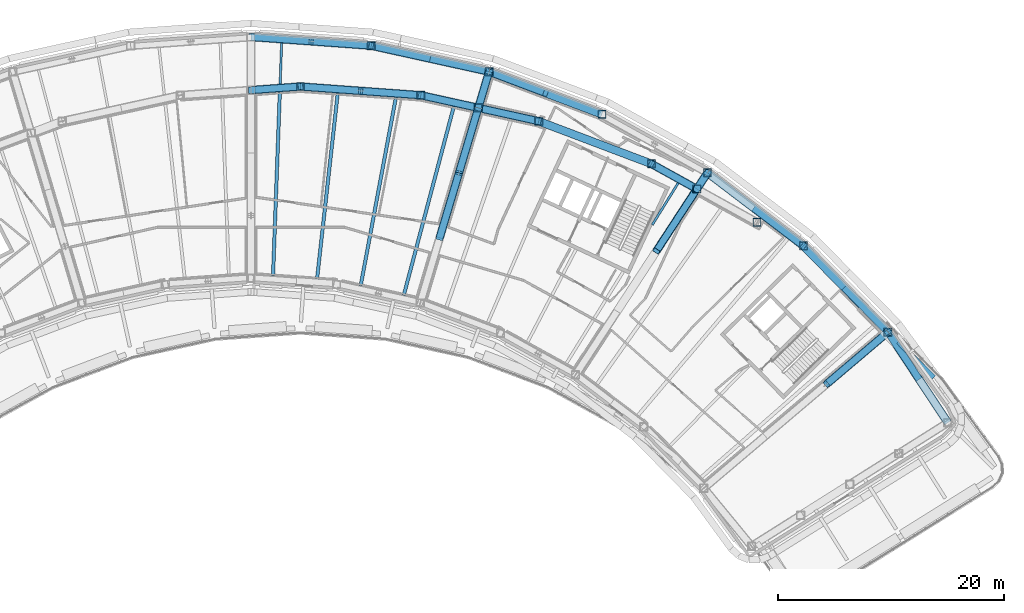
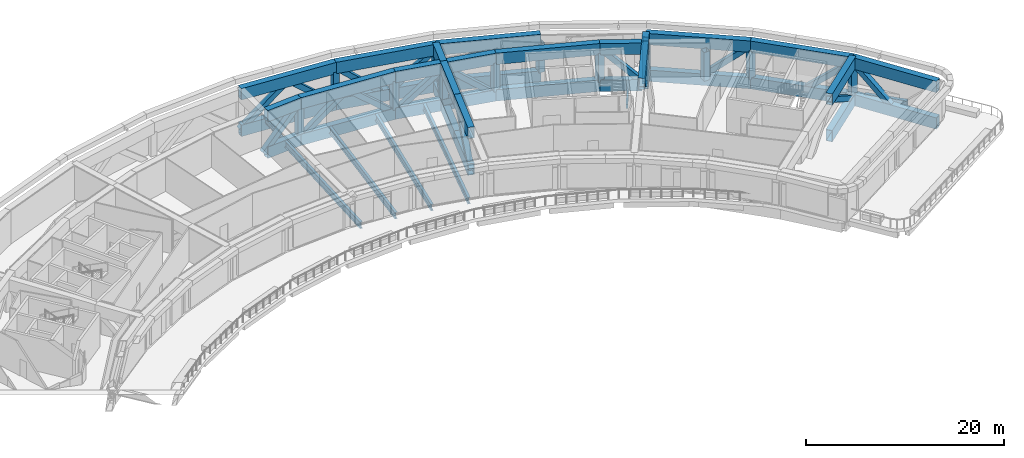
# One storey, part 5 of 26: 42 beams, 33 members.
"""IFC4 building model written with IfcOpenShell, lengths in metres."""

from ifc_helpers import new_model, si_unit, direction, frame, origin, origin_2d, place, context, subcontext, project, spatial, hollow_rectangle, i_section, extrude, material, material_profile, profile_set, type_object, element, save


model = new_model("IFC4")

# Units and contexts
model_context = context("Model", 3, precision=1e-05, world=origin(), true_north=direction((0.0, 1.0)))
body_context = subcontext(model_context, "Body", "Model", "MODEL_VIEW")
ifc_project = project(units=[si_unit("LENGTHUNIT", "METRE"), si_unit("AREAUNIT", "SQUARE_METRE"), si_unit("VOLUMEUNIT", "CUBIC_METRE"), si_unit("PLANEANGLEUNIT", "RADIAN"), si_unit("MASSUNIT", "GRAM", prefix="KILO")], contexts=[model_context])

# Site, building, storey
site_placement = place(None, origin())
site = spatial("IfcSite", under=ifc_project, at=site_placement, CompositionType="ELEMENT")
building_placement = place(site_placement, origin())
building = spatial("IfcBuilding", under=site, at=building_placement, Name="Tuul Gate Civic Tower", CompositionType="ELEMENT")
storey_placement = place(building_placement, frame((0.0, 0.0, 167.60009765625)))
storey = spatial("IfcBuildingStorey", under=building, at=storey_placement, Name="Plant and refuge floor 5", CompositionType="ELEMENT", Elevation=167.60009765625)

# Beams
ifc_material_1 = material(Name="Steel S355", Category="steel")
ifc_material_profile_1 = material_profile(ifc_material_1, i_section(OverallWidth=0.199951171875, OverallDepth=0.5, WebThickness=0.010009765625, FlangeThickness=0.01611328125, at=origin_2d()), Name="PG500x200x10x16")
ifc_profile_set_1 = profile_set([ifc_material_profile_1], Name="Steel S355")
beam_type_1 = type_object("IfcBeamType", Name="STR-FLOOR BEAM-PG500x200x10x16", PredefinedType="BEAM", material=ifc_profile_set_1)
beam_1_placement = place(storey_placement, frame((36.50341796875, -3.014404296875, -0.650146484375), z_axis=(0.526981057191, 0.849877029553, 0.0), x_axis=(-0.849877029553, 0.526981057191, 0.0)))
element("IfcBeam", 1, at=beam_1_placement, inside=storey, type_object=beam_type_1, Name="Floor beam", PredefinedType="BEAM", context=body_context, shape_type="SweptSolid", body=[
    extrude(i_section(OverallWidth=0.199951171875, OverallDepth=0.5, WebThickness=0.010009765625, FlangeThickness=0.01611328125, at=origin_2d()), origin(), (0.0, 0.0, 1.0), 4.345947265625),
])
beam_2_placement = place(storey_placement, frame((3.57177734375, 9.4521484375, -0.650146484375), z_axis=(0.036974227822, 0.999316219461, 0.0), x_axis=(-0.999316219461, 0.036974227822, 0.0)))
element("IfcBeam", 2, at=beam_2_placement, inside=storey, type_object=beam_type_1, Name="Floor beam", PredefinedType="BEAM", context=body_context, shape_type="SweptSolid", body=[
    extrude(i_section(OverallWidth=0.199951171875, OverallDepth=0.5, WebThickness=0.010009765625, FlangeThickness=0.01611328125, at=origin_2d()), origin(), (0.0, 0.0, 1.0), 3.618408203125),
])
ifc_material_2 = material(Name="Steel S355", Category="steel")
ifc_material_profile_2 = material_profile(ifc_material_2, i_section(OverallWidth=0.300048828125, OverallDepth=0.800048828125, WebThickness=0.013916015625, FlangeThickness=0.02490234375, at=origin_2d()), Name="PG800x300x14x25")
ifc_profile_set_2 = profile_set([ifc_material_profile_2], Name="Steel S355")
beam_type_2 = type_object("IfcBeamType", Name="STR-FLOOR BEAM-PG800x300x14x25", PredefinedType="BEAM", material=ifc_profile_set_2)
beam_3_placement = place(storey_placement, frame((14.51513671875, -9.24267578125, -0.800048828125), z_axis=(0.256156654098, 0.96663528208, 0.0), x_axis=(-0.96663528208, 0.256156654098, 0.0)))
element("IfcBeam", 3, at=beam_3_placement, inside=storey, type_object=beam_type_2, Name="Floor beam", PredefinedType="BEAM", context=body_context, shape_type="SweptSolid", body=[
    extrude(i_section(OverallWidth=0.300048828125, OverallDepth=0.800048828125, WebThickness=0.013916015625, FlangeThickness=0.02490234375, at=origin_2d()), origin(), (0.0, 0.0, 1.0), 17.277587890625),
])
beam_4_placement = place(storey_placement, frame((10.700439453125, -8.40185546875, -0.800048828125), z_axis=(0.183967815999, 0.982932267594, 0.0), x_axis=(-0.982932267594, 0.183967815999, 0.0)))
element("IfcBeam", 4, at=beam_4_placement, inside=storey, type_object=beam_type_2, Name="Floor beam", PredefinedType="BEAM", context=body_context, shape_type="SweptSolid", body=[
    extrude(i_section(OverallWidth=0.300048828125, OverallDepth=0.800048828125, WebThickness=0.013916015625, FlangeThickness=0.02490234375, at=origin_2d()), origin(), (0.0, 0.0, 1.0), 16.960205078125),
])
beam_5_placement = place(storey_placement, frame((6.8388671875, -7.813232421875, -0.800048828125), z_axis=(0.110797277575, 0.993843027486, 0.0), x_axis=(-0.993843027486, 0.110797277575, 0.0)))
element("IfcBeam", 5, at=beam_5_placement, inside=storey, type_object=beam_type_2, Name="Floor beam", PredefinedType="BEAM", context=body_context, shape_type="SweptSolid", body=[
    extrude(i_section(OverallWidth=0.300048828125, OverallDepth=0.800048828125, WebThickness=0.013916015625, FlangeThickness=0.02490234375, at=origin_2d()), origin(), (0.0, 0.0, 1.0), 16.55712890625),
])
beam_6_placement = place(storey_placement, frame((2.94287109375, -7.53076171875, -0.800048828125), z_axis=(0.037002237345, 0.999315182728, 0.0), x_axis=(-0.999315182728, 0.037002237345, 0.0)))
element("IfcBeam", 6, at=beam_6_placement, inside=storey, type_object=beam_type_2, Name="Floor beam", PredefinedType="BEAM", context=body_context, shape_type="SweptSolid", body=[
    extrude(i_section(OverallWidth=0.300048828125, OverallDepth=0.800048828125, WebThickness=0.013916015625, FlangeThickness=0.02490234375, at=origin_2d()), origin(), (0.0, 0.0, 1.0), 16.29052734375),
])
ifc_material_3 = material(Name="Steel S355", Category="steel")
ifc_material_profile_3 = material_profile(ifc_material_3, hollow_rectangle(XDim=0.449951171875, YDim=0.89990234375, WallThickness=0.02490234375, at=origin_2d()), Name="BOX900x450x25")
ifc_profile_set_3 = profile_set([ifc_material_profile_3], Name="Steel S355")
beam_type_3 = type_object("IfcBeamType", Name="STR-SPANDREL BEAM-BOX900x450x25", PredefinedType="BEAM", material=ifc_profile_set_3)
beam_7_placement = place(storey_placement, frame((61.39599609375, -16.52685546875, -0.85009765625), z_axis=(-0.700034581972, 0.7141089441, 0.0), x_axis=(-0.7141089441, -0.700034581972, 0.0)))
element("IfcBeam", 7, at=beam_7_placement, inside=storey, type_object=beam_type_3, Name="Terrace edge beam", PredefinedType="BEAM", context=body_context, shape_type="SweptSolid", body=[
    extrude(hollow_rectangle(XDim=0.449951171875, YDim=0.89990234375, WallThickness=0.02490234375, at=origin_2d()), origin(), (0.0, 0.0, 1.0), 4.440673828125),
])
ifc_material_4 = material(Name="Steel S460", Category="steel")
ifc_material_profile_4 = material_profile(ifc_material_4, hollow_rectangle(XDim=0.699951171875, YDim=1.39990234375, WallThickness=0.0400390625, at=origin_2d()), Name="BOX1400x700x40")
ifc_profile_set_4 = profile_set([ifc_material_profile_4], Name="Steel S460")
beam_type_4 = type_object("IfcBeamType", Name="STR-TRANSFER TRUSS CHORD-BOX1400x700x40", PredefinedType="BEAM", material=ifc_profile_set_4)
for number, where, z_axis, x_axis, name in (
    (8, (57.362060546875, -12.5, -1.10009765625), (-0.762827934926, -0.646601532396, 0.0), (0.646601532396, -0.762827934926, 0.0), "Radial truss bottom chord"),
    (9, (57.362060546875, -12.5, 3.39990234375), (-0.762827934926, -0.646601532396, 0.0), (0.646601532396, -0.762827934926, 0.0), "Radial truss top chord"),
):
    element("IfcBeam", number, at=place(storey_placement, frame(where, z_axis=z_axis, x_axis=x_axis)), inside=storey, type_object=beam_type_4, Name=name, PredefinedType="BEAM", context=body_context, shape_type="SweptSolid", body=[
        extrude(hollow_rectangle(XDim=0.699951171875, YDim=1.39990234375, WallThickness=0.0400390625, at=origin_2d()), origin(), (0.0, 0.0, 1.0), 7.118896484375),
    ])
beam_8_placement = place(storey_placement, frame((22.06689453125, 10.5458984375, -1.10009765625), z_axis=(-0.285178597464, -0.958474395875, 0.0), x_axis=(0.958474395875, -0.285178597464, 0.0)))
element("IfcBeam", 10, at=beam_8_placement, inside=storey, type_object=beam_type_4, Name="Radial truss bottom chord", PredefinedType="BEAM", context=body_context, shape_type="SweptSolid", body=[
    extrude(hollow_rectangle(XDim=0.699951171875, YDim=1.39990234375, WallThickness=0.0400390625, at=origin_2d()), origin(), (0.0, 0.0, 1.0), 3.346435546875),
])
beam_9_placement = place(storey_placement, frame((21.112548828125, 7.33837890625, -1.10009765625), z_axis=(-0.285216678898, -0.958463064535, 0.0), x_axis=(0.958463064535, -0.285216678898, 0.0)))
element("IfcBeam", 11, at=beam_9_placement, inside=storey, type_object=beam_type_4, Name="Radial truss bottom chord", PredefinedType="BEAM", context=body_context, shape_type="SweptSolid", body=[
    extrude(hollow_rectangle(XDim=0.699951171875, YDim=1.39990234375, WallThickness=0.0400390625, at=origin_2d()), origin(), (0.0, 0.0, 1.0), 6.0029296875),
])
beam_10_placement = place(storey_placement, frame((19.400390625, 1.584716796875, -1.10009765625), z_axis=(-0.285205561447, -0.958466372764, 0.0), x_axis=(0.958466372764, -0.285205561447, 0.0)))
element("IfcBeam", 12, at=beam_10_placement, inside=storey, type_object=beam_type_4, Name="Radial truss bottom chord", PredefinedType="BEAM", context=body_context, shape_type="SweptSolid", body=[
    extrude(hollow_rectangle(XDim=0.699951171875, YDim=1.39990234375, WallThickness=0.0400390625, at=origin_2d()), origin(), (0.0, 0.0, 1.0), 6.003173828125),
])
beam_11_placement = place(storey_placement, frame((22.06689453125, 10.5458984375, 3.39990234375), z_axis=(-0.285178597464, -0.958474395875, 0.0), x_axis=(0.958474395875, -0.285178597464, 0.0)))
element("IfcBeam", 13, at=beam_11_placement, inside=storey, type_object=beam_type_4, Name="Radial truss top chord", PredefinedType="BEAM", context=body_context, shape_type="SweptSolid", body=[
    extrude(hollow_rectangle(XDim=0.699951171875, YDim=1.39990234375, WallThickness=0.0400390625, at=origin_2d()), origin(), (0.0, 0.0, 1.0), 3.346435546875),
])
beam_12_placement = place(storey_placement, frame((21.112548828125, 7.33837890625, 3.39990234375), z_axis=(-0.285216678898, -0.958463064535, 0.0), x_axis=(0.958463064535, -0.285216678898, 0.0)))
element("IfcBeam", 14, at=beam_12_placement, inside=storey, type_object=beam_type_4, Name="Radial truss top chord", PredefinedType="BEAM", context=body_context, shape_type="SweptSolid", body=[
    extrude(hollow_rectangle(XDim=0.699951171875, YDim=1.39990234375, WallThickness=0.0400390625, at=origin_2d()), origin(), (0.0, 0.0, 1.0), 6.0029296875),
])
beam_13_placement = place(storey_placement, frame((19.400390625, 1.584716796875, 3.39990234375), z_axis=(-0.285205561447, -0.958466372764, 0.0), x_axis=(0.958466372764, -0.285205561447, 0.0)))
element("IfcBeam", 15, at=beam_13_placement, inside=storey, type_object=beam_type_4, Name="Radial truss top chord", PredefinedType="BEAM", context=body_context, shape_type="SweptSolid", body=[
    extrude(hollow_rectangle(XDim=0.699951171875, YDim=1.39990234375, WallThickness=0.0400390625, at=origin_2d()), origin(), (0.0, 0.0, 1.0), 6.003173828125),
])
for number, where, z_axis, x_axis, name in (
    (16, (41.39208984375, 1.593017578125, -1.10009765625), (-0.54678482453, -0.837273166692, 0.0), (0.837273166692, -0.54678482453, 0.0), "Radial truss bottom chord"),
    (17, (41.39208984375, 1.593017578125, 3.39990234375), (-0.54678482453, -0.837273166692, 0.0), (0.837273166692, -0.54678482453, 0.0), "Radial truss top chord"),
):
    element("IfcBeam", number, at=place(storey_placement, frame(where, z_axis=z_axis, x_axis=x_axis)), inside=storey, type_object=beam_type_4, Name=name, PredefinedType="BEAM", context=body_context, shape_type="SweptSolid", body=[
        extrude(hollow_rectangle(XDim=0.699951171875, YDim=1.39990234375, WallThickness=0.0400390625, at=origin_2d()), origin(), (0.0, 0.0, 1.0), 1.713623046875),
    ])
beam_14_placement = place(storey_placement, frame((40.455078125, 0.158203125, 3.39990234375), z_axis=(-0.54674088621, -0.837301859156, 0.0), x_axis=(0.837301859156, -0.54674088621, 0.0)))
element("IfcBeam", 18, at=beam_14_placement, inside=storey, type_object=beam_type_4, Name="Radial truss top chord", PredefinedType="BEAM", context=body_context, shape_type="SweptSolid", body=[
    extrude(hollow_rectangle(XDim=0.699951171875, YDim=1.39990234375, WallThickness=0.0400390625, at=origin_2d()), origin(), (0.0, 0.0, 1.0), 6.547119140625),
])
for number, where, z_axis, x_axis, name in (
    (19, (22.06689453125, 10.5458984375, -1.10009765625), (-0.976566967592, 0.215213749115, 0.0), (-0.215213749115, -0.976566967592, 0.0), "Belt truss bottom chord"),
    (20, (22.06689453125, 10.5458984375, 3.39990234375), (-0.976566967592, 0.215213749115, 0.0), (-0.215213749115, -0.976566967592, 0.0), "Belt truss top chord"),
):
    element("IfcBeam", number, at=place(storey_placement, frame(where, z_axis=z_axis, x_axis=x_axis)), inside=storey, type_object=beam_type_4, Name=name, PredefinedType="BEAM", context=body_context, shape_type="SweptSolid", body=[
        extrude(hollow_rectangle(XDim=0.699951171875, YDim=1.39990234375, WallThickness=0.0400390625, at=origin_2d()), origin(), (0.0, 0.0, 1.0), 10.67822265625),
    ])
beam_15_placement = place(storey_placement, frame((26.450927734375, 6.162109375, -1.10009765625), z_axis=(-0.976570698779, 0.215196817554, 0.0), x_axis=(-0.215196817554, -0.976570698779, 0.0)))
element("IfcBeam", 21, at=beam_15_placement, inside=storey, type_object=beam_type_4, Name="Belt truss bottom chord", PredefinedType="BEAM", context=body_context, shape_type="SweptSolid", body=[
    extrude(hollow_rectangle(XDim=0.699951171875, YDim=1.39990234375, WallThickness=0.0400390625, at=origin_2d()), origin(), (0.0, 0.0, 1.0), 5.115478515625),
])
beam_16_placement = place(storey_placement, frame((20.769775390625, 7.4140625, -1.10009765625), z_axis=(-0.976575485226, 0.215175095341, 0.0), x_axis=(-0.215175095341, -0.976575485226, 0.0)))
element("IfcBeam", 22, at=beam_16_placement, inside=storey, type_object=beam_type_4, Name="Belt truss bottom chord", PredefinedType="BEAM", context=body_context, shape_type="SweptSolid", body=[
    extrude(hollow_rectangle(XDim=0.699951171875, YDim=1.39990234375, WallThickness=0.0400390625, at=origin_2d()), origin(), (0.0, 0.0, 1.0), 4.860595703125),
])
beam_17_placement = place(storey_placement, frame((26.450927734375, 6.162109375, 3.39990234375), z_axis=(-0.976570698779, 0.215196817554, 0.0), x_axis=(-0.215196817554, -0.976570698779, 0.0)))
element("IfcBeam", 23, at=beam_17_placement, inside=storey, type_object=beam_type_4, Name="Belt truss top chord", PredefinedType="BEAM", context=body_context, shape_type="SweptSolid", body=[
    extrude(hollow_rectangle(XDim=0.699951171875, YDim=1.39990234375, WallThickness=0.0400390625, at=origin_2d()), origin(), (0.0, 0.0, 1.0), 5.115478515625),
])
beam_18_placement = place(storey_placement, frame((20.769775390625, 7.4140625, 3.39990234375), z_axis=(-0.976575485226, 0.215175095341, 0.0), x_axis=(-0.215175095341, -0.976575485226, 0.0)))
element("IfcBeam", 24, at=beam_18_placement, inside=storey, type_object=beam_type_4, Name="Belt truss top chord", PredefinedType="BEAM", context=body_context, shape_type="SweptSolid", body=[
    extrude(hollow_rectangle(XDim=0.699951171875, YDim=1.39990234375, WallThickness=0.0400390625, at=origin_2d()), origin(), (0.0, 0.0, 1.0), 4.860595703125),
])
for number, where, z_axis, x_axis, name in (
    (25, (57.362060546875, -12.5, -1.10009765625), (-0.700052665808, 0.714091216229, 0.0), (-0.714091216229, -0.700052665808, 0.0), "Belt truss bottom chord"),
    (26, (57.362060546875, -12.5, 3.39990234375), (-0.700052665808, 0.714091216229, 0.0), (-0.714091216229, -0.700052665808, 0.0), "Belt truss top chord"),
):
    element("IfcBeam", number, at=place(storey_placement, frame(where, z_axis=z_axis, x_axis=x_axis)), inside=storey, type_object=beam_type_4, Name=name, PredefinedType="BEAM", context=body_context, shape_type="SweptSolid", body=[
        extrude(hollow_rectangle(XDim=0.699951171875, YDim=1.39990234375, WallThickness=0.0400390625, at=origin_2d()), origin(), (0.0, 0.0, 1.0), 10.677978515625),
    ])
for number, where, z_axis, x_axis, name in (
    (27, (36.43798828125, 2.385009765625, -1.10009765625), (-0.935341677357, 0.353745595873, 0.0), (-0.353745595873, -0.935341677357, 0.0), "Belt truss bottom chord"),
    (28, (36.43798828125, 2.385009765625, 3.39990234375), (-0.935341677357, 0.353745595873, 0.0), (-0.353745595873, -0.935341677357, 0.0), "Belt truss top chord"),
):
    element("IfcBeam", number, at=place(storey_placement, frame(where, z_axis=z_axis, x_axis=x_axis)), inside=storey, type_object=beam_type_4, Name=name, PredefinedType="BEAM", context=body_context, shape_type="SweptSolid", body=[
        extrude(hollow_rectangle(XDim=0.699951171875, YDim=1.39990234375, WallThickness=0.0400390625, at=origin_2d()), origin(), (0.0, 0.0, 1.0), 10.677490234375),
    ])
for number, where, z_axis, x_axis, name in (
    (29, (49.886962890625, -4.875, -1.10009765625), (-0.795624318965, 0.605790345806, 0.0), (-0.605790345806, -0.795624318965, 0.0), "Belt truss bottom chord"),
    (30, (49.886962890625, -4.875, 3.39990234375), (-0.795624318965, 0.605790345806, 0.0), (-0.605790345806, -0.795624318965, 0.0), "Belt truss top chord"),
    (31, (32.053955078125, 6.77001953125, -1.10009765625), (-0.93537950072, 0.353645570639, 0.0), (-0.353645570639, -0.93537950072, 0.0), "Belt truss bottom chord"),
    (32, (32.053955078125, 6.77001953125, 3.39990234375), (-0.93537950072, 0.353645570639, 0.0), (-0.353645570639, -0.93537950072, 0.0), "Belt truss top chord"),
):
    element("IfcBeam", number, at=place(storey_placement, frame(where, z_axis=z_axis, x_axis=x_axis)), inside=storey, type_object=beam_type_4, Name=name, PredefinedType="BEAM", context=body_context, shape_type="SweptSolid", body=[
        extrude(hollow_rectangle(XDim=0.699951171875, YDim=1.39990234375, WallThickness=0.0400390625, at=origin_2d()), origin(), (0.0, 0.0, 1.0), 10.677001953125),
    ])
for number, where, z_axis, x_axis, name in (
    (33, (16.02294921875, 8.4599609375, -1.10009765625), (-0.997382693351, 0.072303271044, 0.0), (-0.072303271044, -0.997382693351, 0.0), "Belt truss bottom chord"),
    (34, (16.02294921875, 8.4599609375, 3.39990234375), (-0.997382693351, 0.072303271044, 0.0), (-0.072303271044, -0.997382693351, 0.0), "Belt truss top chord"),
):
    element("IfcBeam", number, at=place(storey_placement, frame(where, z_axis=z_axis, x_axis=x_axis)), inside=storey, type_object=beam_type_4, Name=name, PredefinedType="BEAM", context=body_context, shape_type="SweptSolid", body=[
        extrude(hollow_rectangle(XDim=0.699951171875, YDim=1.39990234375, WallThickness=0.0400390625, at=origin_2d()), origin(), (0.0, 0.0, 1.0), 10.6767578125),
    ])
for number, where, z_axis, x_axis, name in (
    (35, (5.3740234375, 9.23193359375, -1.10009765625), (-0.997381831216, -0.072315162731, 0.0), (0.072315162731, -0.997381831216, 0.0), "Belt truss bottom chord"),
    (36, (5.3740234375, 9.23193359375, 3.39990234375), (-0.997381831216, -0.072315162731, 0.0), (0.072315162731, -0.997381831216, 0.0), "Belt truss top chord"),
):
    element("IfcBeam", number, at=place(storey_placement, frame(where, z_axis=z_axis, x_axis=x_axis)), inside=storey, type_object=beam_type_4, Name=name, PredefinedType="BEAM", context=body_context, shape_type="SweptSolid", body=[
        extrude(hollow_rectangle(XDim=0.699951171875, YDim=1.39990234375, WallThickness=0.0400390625, at=origin_2d()), origin(), (0.0, 0.0, 1.0), 4.04443359375),
    ])
for number, where, z_axis, x_axis, name in (
    (37, (11.638916015625, 12.843994140625, -1.10009765625), (-0.997382693351, 0.072303271044, 0.0), (-0.072303271044, -0.997382693351, 0.0), "Belt truss bottom chord"),
    (38, (11.638916015625, 12.843994140625, 3.39990234375), (-0.997382693351, 0.072303271044, 0.0), (-0.072303271044, -0.997382693351, 0.0), "Belt truss top chord"),
):
    element("IfcBeam", number, at=place(storey_placement, frame(where, z_axis=z_axis, x_axis=x_axis)), inside=storey, type_object=beam_type_4, Name=name, PredefinedType="BEAM", context=body_context, shape_type="SweptSolid", body=[
        extrude(hollow_rectangle(XDim=0.699951171875, YDim=1.39990234375, WallThickness=0.0400390625, at=origin_2d()), origin(), (0.0, 0.0, 1.0), 10.6767578125),
    ])
for number, where, z_axis, x_axis, name in (
    (39, (40.159912109375, 0.322021484375, -1.10009765625), (-0.874630447015, 0.484790244492, 0.0), (-0.484790244492, -0.874630447015, 0.0), "Belt truss bottom chord"),
    (40, (40.159912109375, 0.322021484375, 3.39990234375), (-0.874630447015, 0.484790244492, 0.0), (-0.484790244492, -0.874630447015, 0.0), "Belt truss top chord"),
):
    element("IfcBeam", number, at=place(storey_placement, frame(where, z_axis=z_axis, x_axis=x_axis)), inside=storey, type_object=beam_type_4, Name=name, PredefinedType="BEAM", context=body_context, shape_type="SweptSolid", body=[
        extrude(hollow_rectangle(XDim=0.699951171875, YDim=1.39990234375, WallThickness=0.0400390625, at=origin_2d()), origin(), (0.0, 0.0, 1.0), 4.25537109375),
    ])
for number, where, z_axis, x_axis, name in (
    (41, (62.660888671875, -20.512939453125, -1.10009765625), (-0.5515879836, 0.834116716262, 0.0), (-0.834116716262, -0.5515879836, 0.0), "Belt truss bottom chord"),
    (42, (62.660888671875, -20.512939453125, 3.39990234375), (-0.5515879836, 0.834116716262, 0.0), (-0.834116716262, -0.5515879836, 0.0), "Belt truss top chord"),
):
    element("IfcBeam", number, at=place(storey_placement, frame(where, z_axis=z_axis, x_axis=x_axis)), inside=storey, type_object=beam_type_4, Name=name, PredefinedType="BEAM", context=body_context, shape_type="SweptSolid", body=[
        extrude(hollow_rectangle(XDim=0.699951171875, YDim=1.39990234375, WallThickness=0.0400390625, at=origin_2d()), origin(), (0.0, 0.0, 1.0), 9.6064453125),
    ])

# Members
ifc_material_5 = material(Name="Steel S355", Category="steel")
ifc_material_profile_5 = material_profile(ifc_material_5, hollow_rectangle(XDim=0.60009765625, YDim=0.60009765625, WallThickness=0.02490234375, at=origin_2d()), Name="BOX600x600x25")
ifc_profile_set_5 = profile_set([ifc_material_profile_5], Name="Steel S355")
member_type_1 = type_object("IfcMemberType", Name="STR-TRANSFER TRUSS DIAGONAL-BOX600x600x25", PredefinedType="BRACE", material=ifc_profile_set_5)
member_1_placement = place(storey_placement, frame((57.365234375, -12.497314453125, -1.102783203125), z_axis=(-0.644798242052, -0.546554026538, 0.534335028911), x_axis=(0.64660076349, -0.762828586679, 0.0)))
element("IfcMember", 43, at=member_1_placement, inside=storey, type_object=member_type_1, Name="Radial truss web", PredefinedType="BRACE", context=body_context, shape_type="SweptSolid", body=[
    extrude(hollow_rectangle(XDim=0.60009765625, YDim=0.60009765625, WallThickness=0.02490234375, at=origin_2d()), origin(), (0.0, 0.0, 1.0), 8.431640625),
])
member_2_placement = place(storey_placement, frame((21.111572265625, 7.335693359375, -1.10400390625), z_axis=(0.170228083099, 0.571961144159, 0.802423111143), x_axis=(-0.958451367348, 0.285255984036, 0.0)))
element("IfcMember", 44, at=member_2_placement, inside=storey, type_object=member_type_1, Name="Radial truss web", PredefinedType="BRACE", context=body_context, shape_type="SweptSolid", body=[
    extrude(hollow_rectangle(XDim=0.60009765625, YDim=0.60009765625, WallThickness=0.02490234375, at=origin_2d()), origin(), (0.0, 0.0, 1.0), 5.61767578125),
])
for number, where, z_axis, x_axis, name in (
    (45, (21.11376953125, 7.34228515625, -1.10302734375), (-0.228233795005, -0.76692144786, 0.599783984139), (0.958457762461, -0.285234495774, 0.0), "Radial truss web"),
    (46, (17.68701171875, -4.173095703125, -1.10302734375), (0.228202989459, 0.766927135892, 0.599788432562), (-0.958468865223, 0.285197185118, 0.0), "Radial truss web"),
):
    element("IfcMember", number, at=place(storey_placement, frame(where, z_axis=z_axis, x_axis=x_axis)), inside=storey, type_object=member_type_1, Name=name, PredefinedType="BRACE", context=body_context, shape_type="SweptSolid", body=[
        extrude(hollow_rectangle(XDim=0.60009765625, YDim=0.60009765625, WallThickness=0.02490234375, at=origin_2d()), origin(), (0.0, 0.0, 1.0), 7.512451171875),
    ])
member_3_placement = place(storey_placement, frame((40.4541015625, 0.15673828125, -1.104736328125), z_axis=(0.19459692282, 0.297967051089, 0.934530723997), x_axis=(-0.837262534429, 0.546801105012, 0.0)))
element("IfcMember", 47, at=member_3_placement, inside=storey, type_object=member_type_1, Name="Radial truss web", PredefinedType="BRACE", context=body_context, shape_type="SweptSolid", body=[
    extrude(hollow_rectangle(XDim=0.60009765625, YDim=0.60009765625, WallThickness=0.02490234375, at=origin_2d()), origin(), (0.0, 0.0, 1.0), 4.8251953125),
])
member_4_placement = place(storey_placement, frame((40.45751953125, 0.161865234375, -1.10302734375), z_axis=(-0.450574698044, -0.69002594756, 0.566433255712), x_axis=(0.837300774915, -0.546742546659, 0.0)))
element("IfcMember", 48, at=member_4_placement, inside=storey, type_object=member_type_1, Name="Radial truss web", PredefinedType="BRACE", context=body_context, shape_type="SweptSolid", body=[
    extrude(hollow_rectangle(XDim=0.60009765625, YDim=0.60009765625, WallThickness=0.02490234375, at=origin_2d()), origin(), (0.0, 0.0, 1.0), 7.954833984375),
])
for number, where, z_axis, x_axis, name in (
    (49, (16.849365234375, 11.69580078125, -1.103271484375), (0.746723524842, -0.16455360605, 0.644457980153), (0.215204102376, 0.97656909347, 0.0), "Belt truss web"),
    (50, (16.856689453125, 11.694091796875, -1.103271484375), (-0.746723524842, 0.16455360605, 0.644457980153), (-0.215204102376, -0.97656909347, 0.0), "Belt truss web"),
):
    element("IfcMember", number, at=place(storey_placement, frame(where, z_axis=z_axis, x_axis=x_axis)), inside=storey, type_object=member_type_1, Name=name, PredefinedType="BRACE", context=body_context, shape_type="SweptSolid", body=[
        extrude(hollow_rectangle(XDim=0.60009765625, YDim=0.60009765625, WallThickness=0.02490234375, at=origin_2d()), origin(), (0.0, 0.0, 1.0), 6.992431640625),
    ])
member_5_placement = place(storey_placement, frame((26.454833984375, 6.1611328125, -1.103271484375), z_axis=(-0.753978946804, 0.166165969371, 0.635534907302), x_axis=(-0.215220782934, -0.976565417467, 0.0)))
element("IfcMember", 51, at=member_5_placement, inside=storey, type_object=member_type_1, Name="Belt truss web", PredefinedType="BRACE", context=body_context, shape_type="SweptSolid", body=[
    extrude(hollow_rectangle(XDim=0.60009765625, YDim=0.60009765625, WallThickness=0.02490234375, at=origin_2d()), origin(), (0.0, 0.0, 1.0), 7.090576171875),
])
member_6_placement = place(storey_placement, frame((16.019287109375, 8.460693359375, -1.103271484375), z_axis=(0.739173551305, -0.162868148489, 0.653526148871), x_axis=(0.215176774906, 0.976575115156, 0.0)))
element("IfcMember", 52, at=member_6_placement, inside=storey, type_object=member_type_1, Name="Belt truss web", PredefinedType="BRACE", context=body_context, shape_type="SweptSolid", body=[
    extrude(hollow_rectangle(XDim=0.60009765625, YDim=0.60009765625, WallThickness=0.02490234375, at=origin_2d()), origin(), (0.0, 0.0, 1.0), 6.8955078125),
])
member_7_placement = place(storey_placement, frame((53.621826171875, -8.684814453125, -1.103271484375), z_axis=(0.535288934451, -0.546007981016, 0.644469581378), x_axis=(0.714081343317, 0.700062736565, 0.0)))
element("IfcMember", 53, at=member_7_placement, inside=storey, type_object=member_type_1, Name="Belt truss web", PredefinedType="BRACE", context=body_context, shape_type="SweptSolid", body=[
    extrude(hollow_rectangle(XDim=0.60009765625, YDim=0.60009765625, WallThickness=0.02490234375, at=origin_2d()), origin(), (0.0, 0.0, 1.0), 6.992431640625),
])
for number, where, z_axis, x_axis, name in (
    (54, (45.636474609375, -1.638671875, -1.103271484375), (0.608356350167, -0.463172070537, 0.644495294231), (0.605763872928, 0.795644474785, 0.0), "Belt truss web"),
    (55, (22.0634765625, 10.54736328125, -1.103271484375), (0.715184138336, -0.270402595805, 0.644510732614), (0.353654552993, 0.935376104649, 0.0), "Belt truss web"),
):
    element("IfcMember", number, at=place(storey_placement, frame(where, z_axis=z_axis, x_axis=x_axis)), inside=storey, type_object=member_type_1, Name=name, PredefinedType="BRACE", context=body_context, shape_type="SweptSolid", body=[
        extrude(hollow_rectangle(XDim=0.60009765625, YDim=0.60009765625, WallThickness=0.02490234375, at=origin_2d()), origin(), (0.0, 0.0, 1.0), 6.991943359375),
    ])
for number, where, z_axis, x_axis, name in (
    (56, (16.02685546875, 8.459716796875, -1.103271484375), (-0.762612496101, 0.055272907895, 0.644489787695), (-0.072288744582, -0.997383746312, 0.0), "Belt truss web"),
    (57, (5.3701171875, 9.232177734375, -1.103271484375), (0.762612496101, -0.055272907895, 0.644489787695), (0.072288744582, 0.997383746312, 0.0), "Belt truss web"),
):
    element("IfcMember", number, at=place(storey_placement, frame(where, z_axis=z_axis, x_axis=x_axis)), inside=storey, type_object=member_type_1, Name=name, PredefinedType="BRACE", context=body_context, shape_type="SweptSolid", body=[
        extrude(hollow_rectangle(XDim=0.60009765625, YDim=0.60009765625, WallThickness=0.02490234375, at=origin_2d()), origin(), (0.0, 0.0, 1.0), 6.9921875),
    ])
member_8_placement = place(storey_placement, frame((0.986572265625, 8.913818359375, -1.103759765625), z_axis=(0.696901410609, 0.05052874281, 0.715384700732), x_axis=(-0.072315035858, 0.997381840415, 0.0)))
element("IfcMember", 58, at=member_8_placement, inside=storey, type_object=member_type_1, Name="Belt truss web", PredefinedType="BRACE", context=body_context, shape_type="SweptSolid", body=[
    extrude(hollow_rectangle(XDim=0.60009765625, YDim=0.60009765625, WallThickness=0.02490234375, at=origin_2d()), origin(), (0.0, 0.0, 1.0), 6.300537109375),
])
member_9_placement = place(storey_placement, frame((11.642822265625, 12.84375, -1.103271484375), z_axis=(-0.762597885656, 0.055274379716, 0.644506949334), x_axis=(-0.072292037208, -0.997383507662, 0.0)))
element("IfcMember", 59, at=member_9_placement, inside=storey, type_object=member_type_1, Name="Belt truss web", PredefinedType="BRACE", context=body_context, shape_type="SweptSolid", body=[
    extrude(hollow_rectangle(XDim=0.60009765625, YDim=0.60009765625, WallThickness=0.02490234375, at=origin_2d()), origin(), (0.0, 0.0, 1.0), 6.991943359375),
])
member_10_placement = place(storey_placement, frame((0.986083984375, 13.6162109375, -1.103271484375), z_axis=(0.762612496101, -0.055272907895, 0.644489787695), x_axis=(0.072288744582, 0.997383746312, 0.0)))
element("IfcMember", 60, at=member_10_placement, inside=storey, type_object=member_type_1, Name="Belt truss web", PredefinedType="BRACE", context=body_context, shape_type="SweptSolid", body=[
    extrude(hollow_rectangle(XDim=0.60009765625, YDim=0.60009765625, WallThickness=0.02490234375, at=origin_2d()), origin(), (0.0, 0.0, 1.0), 6.9921875),
])
member_11_placement = place(storey_placement, frame((40.458251953125, 0.156494140625, -1.103515625), z_axis=(-0.624757968603, 0.346308497767, 0.699819909006), x_axis=(-0.484809085659, -0.874620003466, 0.0)))
element("IfcMember", 61, at=member_11_placement, inside=storey, type_object=member_type_1, Name="Belt truss web", PredefinedType="BRACE", context=body_context, shape_type="SweptSolid", body=[
    extrude(hollow_rectangle(XDim=0.60009765625, YDim=0.60009765625, WallThickness=0.02490234375, at=origin_2d()), origin(), (0.0, 0.0, 1.0), 6.43994140625),
])
member_12_placement = place(storey_placement, frame((60.013427734375, -16.509521484375, -1.103515625), z_axis=(-0.40252010624, 0.608706104716, 0.683706400551), x_axis=(-0.834121420393, -0.551580869902, 0.0)))
element("IfcMember", 62, at=member_12_placement, inside=storey, type_object=member_type_1, Name="Belt truss web", PredefinedType="BRACE", context=body_context, shape_type="SweptSolid", body=[
    extrude(hollow_rectangle(XDim=0.60009765625, YDim=0.60009765625, WallThickness=0.02490234375, at=origin_2d()), origin(), (0.0, 0.0, 1.0), 6.591796875),
])
ifc_material_6 = material(Name="Steel S355", Category="steel")
ifc_material_profile_6 = material_profile(ifc_material_6, hollow_rectangle(XDim=0.699951171875, YDim=0.699951171875, WallThickness=0.030029296875, at=origin_2d()), Name="BOX700x700x30")
ifc_profile_set_6 = profile_set([ifc_material_profile_6], Name="Steel S355")
member_type_2 = type_object("IfcMemberType", Name="STR-TRUSS POST-BOX700x700x30", PredefinedType="POST", material=ifc_profile_set_6)
for number, where, z_axis, x_axis, name in (
    (63, (57.362060546875, -12.5, -0.6201171875), (0.0, 0.0, 1.0), (1.0, 0.0, 0.0), "Radial truss post"),
    (64, (22.06689453125, 10.5458984375, -0.6201171875), (0.0, 0.0, 1.0), (1.0, 0.0, 0.0), "Radial truss post"),
    (65, (21.112548828125, 7.33837890625, -0.6201171875), (0.0, 0.0, 1.0), (1.0, 0.0, 0.0), "Radial truss post"),
    (66, (41.39208984375, 1.593017578125, -0.6201171875), (0.0, 0.0, 1.0), (1.0, 0.0, 0.0), "Radial truss post"),
    (67, (40.455078125, 0.158203125, -0.6201171875), (0.0, 0.0, 1.0), (1.0, 0.0, 0.0), "Radial truss post"),
    (68, (11.638916015625, 12.843994140625, -0.6201171875), (0.0, 0.0, 1.0), (1.0, 0.0, 0.0), "Belt truss post"),
    (69, (26.450927734375, 6.162109375, -0.6201171875), (0.0, 0.0, 1.0), (1.0, 0.0, 0.0), "Belt truss post"),
    (70, (16.02294921875, 8.4599609375, -0.6201171875), (0.0, 0.0, 1.0), (1.0, 0.0, 0.0), "Belt truss post"),
    (71, (49.886962890625, -4.875, -0.6201171875), (0.0, 0.0, 1.0), (1.0, 0.0, 0.0), "Belt truss post"),
    (72, (36.43798828125, 2.385009765625, -0.6201171875), (0.0, 0.0, 1.0), (1.0, 0.0, 0.0), "Belt truss post"),
    (73, (32.053955078125, 6.77001953125, -0.6201171875), (0.0, 0.0, 1.0), (1.0, 0.0, 0.0), "Belt truss post"),
    (74, (5.3740234375, 9.23193359375, -0.6201171875), (0.0, 0.0, 1.0), (1.0, 0.0, 0.0), "Belt truss post"),
    (75, (45.77587890625, -2.791015625, -0.6201171875), (0.0, 0.0, 1.0), (1.0, 0.0, 0.0), "Belt truss post"),
):
    element("IfcMember", number, at=place(storey_placement, frame(where, z_axis=z_axis, x_axis=x_axis)), inside=storey, type_object=member_type_2, Name=name, PredefinedType="POST", context=body_context, shape_type="SweptSolid", body=[
        extrude(hollow_rectangle(XDim=0.699951171875, YDim=0.699951171875, WallThickness=0.030029296875, at=origin_2d()), origin(), (0.0, 0.0, 1.0), 3.5400390625),
    ])

save(model, "model.ifc")
